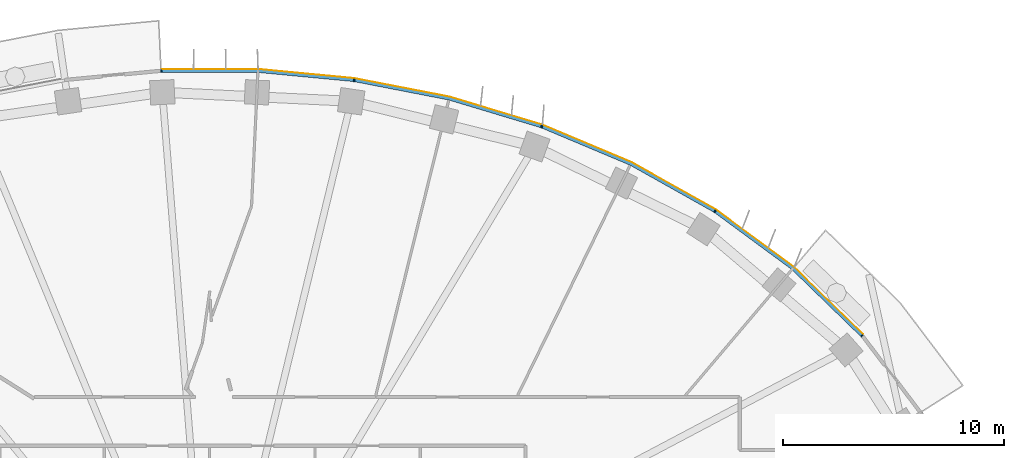
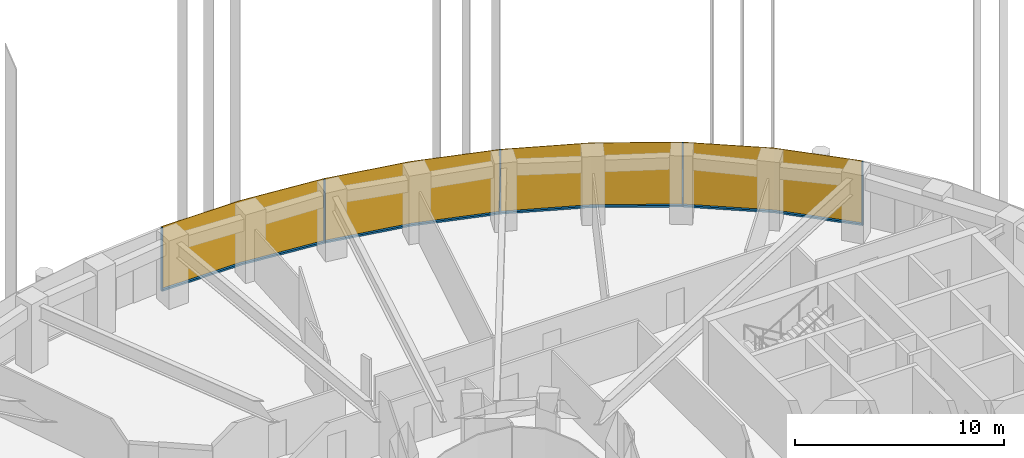
# One storey, part 13 of 19: 9 members, 1 curtain wall.
"""IFC4 building model written with IfcOpenShell, lengths in metres."""

from ifc_helpers import new_model, si_unit, direction, frame, origin, origin_2d, place, context, subcontext, project, spatial, polyline, rectangle, outline, extrude, material, layer, layer_set, material_profile, profile_set, type_object, element, aggregate, save


model = new_model("IFC4")

# Units and contexts
model_context = context("Model", 3, precision=1e-05, world=origin(), true_north=direction((0.0, 1.0)))
body_context = subcontext(model_context, "Body", "Model", "MODEL_VIEW")
ifc_project = project(units=[si_unit("LENGTHUNIT", "METRE"), si_unit("AREAUNIT", "SQUARE_METRE"), si_unit("VOLUMEUNIT", "CUBIC_METRE"), si_unit("PLANEANGLEUNIT", "RADIAN"), si_unit("MASSUNIT", "GRAM", prefix="KILO")], contexts=[model_context])

# Member
ifc_material_1 = material(Name="Aluminium 6063-T6 black anodised", Category="aluminium")
ifc_material_profile = material_profile(ifc_material_1, rectangle(XDim=0.1201171875, YDim=0.06005859375, at=origin_2d()), Name="120x60")
ifc_profile_set = profile_set([ifc_material_profile], Name="Aluminium 6063-T6 black anodised")
member_type_1 = type_object("IfcMemberType", Name="ENV-MULLION-A-120", PredefinedType="MULLION", material=ifc_profile_set)
site_placement = place(None, origin())
building_placement = place(site_placement, origin())
storey_placement = place(building_placement, frame((0.0, 0.0, 233.5)))
member_1_placement = place(storey_placement, frame((29.53857421875, 15.8671875, 0.0), z_axis=(0.0, 0.0, 1.0), x_axis=(-0.749047221705, -0.662516610853, 0.0)))
member_1 = element("IfcMember", 1, at=member_1_placement, type_object=member_type_1, Name="Mullion A radial 05", PredefinedType="MULLION", context=body_context, shape_type="SweptSolid", body=[
    extrude(rectangle(XDim=0.1201171875, YDim=0.06005859375, at=origin_2d()), origin(), (0.0, 0.0, 1.0), 3.699951171875),
])

member_2_placement = place(storey_placement, frame((22.882568359375, 21.506591796875, 0.0), z_axis=(0.0, 0.0, 1.0), x_axis=(-0.542279153225, -0.840198381323, 0.0)))
member_2 = element("IfcMember", 2, at=member_2_placement, type_object=member_type_1, Name="Mullion A radial 07", PredefinedType="MULLION", context=body_context, shape_type="SweptSolid", body=[
    extrude(rectangle(XDim=0.1201171875, YDim=0.06005859375, at=origin_2d()), origin(), (0.0, 0.0, 1.0), 3.699951171875),
])

member_3_placement = place(storey_placement, frame((15.0341796875, 25.34375, 0.0), z_axis=(0.0, 0.0, 1.0), x_axis=(-0.338379256581, -0.941009818608, 0.0)))
member_3 = element("IfcMember", 3, at=member_3_placement, type_object=member_type_1, Name="Mullion A radial 09", PredefinedType="MULLION", context=body_context, shape_type="SweptSolid", body=[
    extrude(rectangle(XDim=0.1201171875, YDim=0.06005859375, at=origin_2d()), origin(), (0.0, 0.0, 1.0), 3.699951171875),
])

member_4_placement = place(storey_placement, frame((6.54638671875, 27.440185546875, 0.0), z_axis=(0.0, 0.0, 1.0), x_axis=(-0.143082012705, -0.989710835366, 0.0)))
member_4 = element("IfcMember", 4, at=member_4_placement, type_object=member_type_1, Name="Mullion A radial 11", PredefinedType="MULLION", context=body_context, shape_type="SweptSolid", body=[
    extrude(rectangle(XDim=0.1201171875, YDim=0.06005859375, at=origin_2d()), origin(), (0.0, 0.0, 1.0), 3.699951171875),
])

member_5_placement = place(storey_placement, frame((-2.188720703125, 27.856201171875, 0.0), z_axis=(0.0, 0.0, 1.0), x_axis=(0.047557873581, -0.998868484166, 0.0)))
member_5 = element("IfcMember", 5, at=member_5_placement, type_object=member_type_1, Name="Mullion A radial 13", PredefinedType="MULLION", context=body_context, shape_type="SweptSolid", body=[
    extrude(rectangle(XDim=0.1201171875, YDim=0.06005859375, at=origin_2d()), origin(), (0.0, 0.0, 1.0), 3.699951171875),
])

ifc_material_2 = material(Name="Aluminium 6063-T6 black anodised", Category="aluminium")
member_type_2 = type_object("IfcMemberType", Name="ENV-TRANSOM-A", PredefinedType="USERDEFINED", material=ifc_material_2)
member_6_placement = place(storey_placement, origin())
member_6 = element("IfcMember", 6, at=member_6_placement, type_object=member_type_2, Name="Transom A radial 05-07", ObjectType="TRANSOM", PredefinedType="USERDEFINED", context=body_context, shape_type="SweptSolid", body=[
    extrude(outline(polyline([(29.5634765625, 15.926513671875), (26.4423828125, 18.958740234375), (22.937744140625, 21.540283203125), (22.87255859375, 21.439208984375), (26.364501953125, 18.866943359375), (29.473388671875, 15.8466796875), (29.5634765625, 15.926513671875)])), origin(), (0.0, 0.0, 1.0), 0.10009765625),
])

member_7_placement = place(storey_placement, origin())
member_7 = element("IfcMember", 7, at=member_7_placement, type_object=member_type_2, Name="Transom A radial 07-09", ObjectType="TRANSOM", PredefinedType="USERDEFINED", context=body_context, shape_type="SweptSolid", body=[
    extrude(outline(polyline([(22.890625, 21.570556640625), (19.093994140625, 23.701416015625), (15.080322265625, 25.389404296875), (15.03955078125, 25.276123046875), (19.041259765625, 23.593505859375), (22.825439453125, 21.469482421875), (22.890625, 21.570556640625)])), origin(), (0.0, 0.0, 1.0), 0.10009765625),
])

member_8_placement = place(storey_placement, origin())
member_8 = element("IfcMember", 8, at=member_8_placement, type_object=member_type_2, Name="Transom A radial 09-11", ObjectType="TRANSOM", PredefinedType="USERDEFINED", context=body_context, shape_type="SweptSolid", body=[
    extrude(outline(polyline([(15.027587890625, 25.408203125), (10.857666015625, 26.6630859375), (6.58251953125, 27.494140625), (6.5654296875, 27.375244140625), (10.828857421875, 26.54638671875), (14.987060546875, 25.295166015625), (15.027587890625, 25.408203125)])), origin(), (0.0, 0.0, 1.0), 0.10009765625),
])

member_9_placement = place(storey_placement, origin())
member_9 = element("IfcMember", 9, at=member_9_placement, type_object=member_type_2, Name="Transom A radial 11-13", ObjectType="TRANSOM", PredefinedType="USERDEFINED", context=body_context, shape_type="SweptSolid", body=[
    extrude(outline(polyline([(6.527099609375, 27.502197265625), (2.191650390625, 27.916015625), (-2.163818359375, 27.916015625), (-2.157958984375, 27.7958984375), (2.185791015625, 27.7958984375), (6.510009765625, 27.38330078125), (6.527099609375, 27.502197265625)])), origin(), (0.0, 0.0, 1.0), 0.10009765625),
])

# Site, building, storey
site = spatial("IfcSite", under=ifc_project, at=site_placement, CompositionType="ELEMENT")
building = spatial("IfcBuilding", under=site, at=building_placement, Name="Noorbagh Ring Tower", CompositionType="ELEMENT")
storey = spatial("IfcBuildingStorey", under=building, at=storey_placement, Name="L48", CompositionType="ELEMENT", Elevation=233.5)

# Curtain wall
ifc_material_3 = material(Name="Glass dark tinted laminated", Category="glass")
ifc_layer = layer(ifc_material_3, 0.031982421875)
ifc_layer_set = layer_set([ifc_layer], Name="Glass dark tinted laminated")
curtain_wall_type = type_object("IfcCurtainWallType", Name="ENV-CW-A", PredefinedType="NOTDEFINED", material=ifc_layer_set)
curtain_wall_placement = place(storey_placement, origin())
curtain_wall = element("IfcCurtainWall", 10, at=curtain_wall_placement, inside=storey, type_object=curtain_wall_type, Name="Curtain wall A R05", PredefinedType="NOTDEFINED", context=body_context, shape_type="SweptSolid", body=[
    extrude(outline(polyline([(29.59326171875, 15.942138671875), (26.463134765625, 18.9833984375), (22.9326171875, 21.583740234375), (19.108154296875, 23.730224609375), (15.065185546875, 25.430419921875), (10.865234375, 26.6943359375), (6.559814453125, 27.53125), (2.193115234375, 27.947998046875), (-2.173095703125, 27.947998046875), (-2.171630859375, 27.916015625), (2.191650390625, 27.916015625), (6.55517578125, 27.49951171875), (10.857666015625, 26.6630859375), (15.054443359375, 25.400146484375), (19.093994140625, 23.701416015625), (22.9150390625, 21.556884765625), (26.4423828125, 18.958740234375), (29.569091796875, 15.9208984375), (29.59326171875, 15.942138671875)])), origin(), (0.0, 0.0, 1.0), 3.699951171875),
])

aggregate(curtain_wall, [member_1, member_2, member_3, member_4, member_5, member_6, member_7, member_8, member_9])

save(model, "model.ifc")
